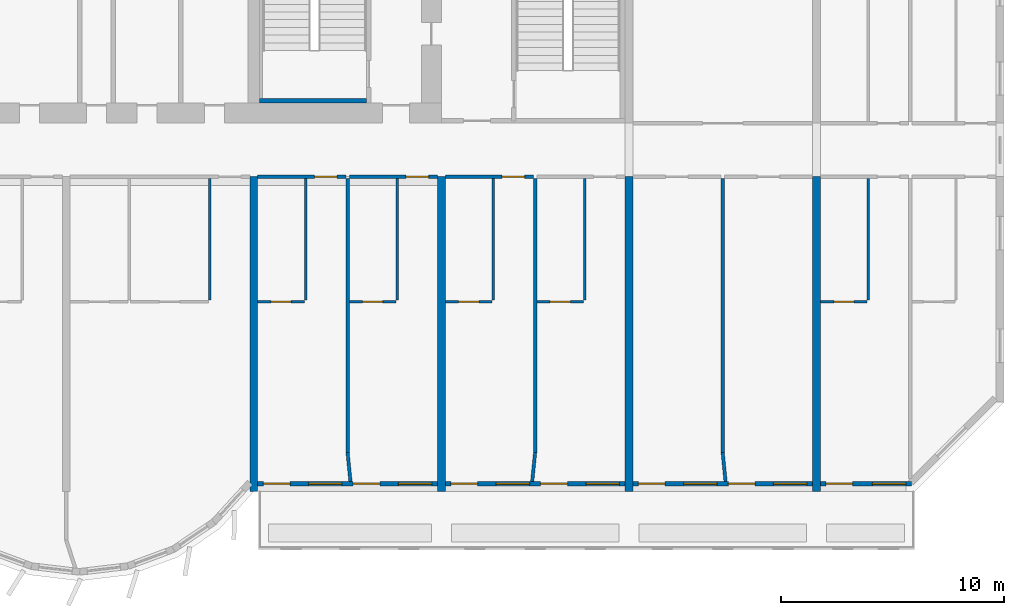
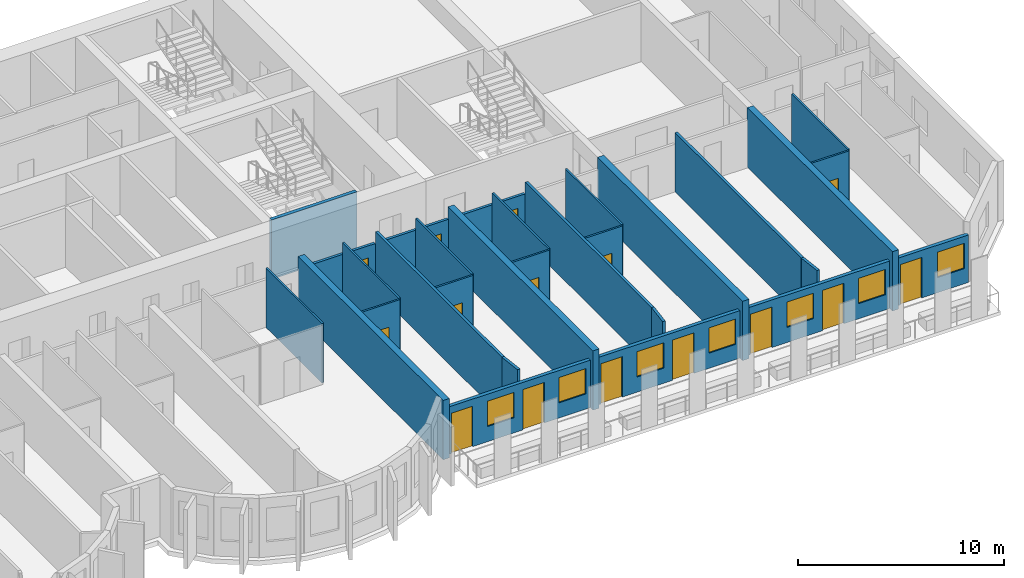
# One storey, part 9 of 15: 29 walls, 15 doors, 7 windows, 22 openings.
"""IFC4 building model written with IfcOpenShell, lengths in metres."""

from ifc_helpers import new_model, si_unit, direction, frame, frame_2d, origin, place, context, subcontext, project, spatial, rectangle, extrude, source, transform, mapped, material, layer, layer_set, type_object, element, fill, save


model = new_model("IFC4")

# Units and contexts
model_context = context("Model", 3, precision=1e-05, world=origin(), true_north=direction((0.0, 1.0)))
body_context = subcontext(model_context, "Body", "Model", "MODEL_VIEW")
ifc_project = project(units=[si_unit("LENGTHUNIT", "METRE"), si_unit("AREAUNIT", "SQUARE_METRE"), si_unit("VOLUMEUNIT", "CUBIC_METRE"), si_unit("PLANEANGLEUNIT", "RADIAN"), si_unit("MASSUNIT", "GRAM", prefix="KILO")], contexts=[model_context])

# Site, building, storey
site_placement = place(None, origin())
site = spatial("IfcSite", under=ifc_project, at=site_placement, CompositionType="ELEMENT")
building_placement = place(site_placement, origin())
building = spatial("IfcBuilding", under=site, at=building_placement, Name="Vanashikhar Sky Hotel", CompositionType="ELEMENT")
storey_placement = place(building_placement, frame((0.0, 0.0, 91.39990234375)))
storey = spatial("IfcBuildingStorey", under=building, at=storey_placement, Name="L21", CompositionType="ELEMENT", Elevation=91.39990234375)

# Walls
ifc_material_1 = material(Name="Concrete M70", Category="concrete")
ifc_layer_1 = layer(ifc_material_1, 0.35009765625)
ifc_layer_set_1 = layer_set([ifc_layer_1], Name="RC shear wall 350 Concrete M70")
wall_type_1 = type_object("IfcWallType", Name="RC shear wall 350 Concrete M70", PredefinedType="SHEAR", material=ifc_layer_set_1)
shared_shape_1 = source(origin(), body_context, "Body", "SweptSolid", [
    extrude(rectangle(XDim=14.10009765625, YDim=0.35009765625, at=frame_2d((7.050048828125, 0.0))), origin(), (0.0, 0.0, 1.0), 3.52001953125),
])
for number, where, z_axis, x_axis, name in (
    (1, (67.199951171875, 5.5, 0.0), (0.0, 0.0, 1.0), (0.0, 1.0, 0.0), "CW-L21-XW09-1"),
    (2, (75.60009765625, 5.5, 0.0), (0.0, 0.0, 1.0), (0.0, 1.0, 0.0), "CW-L21-XW10-1"),
    (3, (84.0, 5.5, 0.0), (0.0, 0.0, 1.0), (0.0, 1.0, 0.0), "CW-L21-XW11-1"),
    (4, (92.39990234375, 5.5, 0.0), (0.0, 0.0, 1.0), (0.0, 1.0, 0.0), "CW-L21-XW12-1"),
):
    element("IfcWall", number, at=place(storey_placement, frame(where, z_axis=z_axis, x_axis=x_axis)), inside=storey, type_object=wall_type_1, Name=name, PredefinedType="SHEAR", context=body_context, shape_type="MappedRepresentation", body=[
        mapped(shared_shape_1, transform((0.0, 0.0, 0.0), scale=1.0)),
    ])

# Wall, openings, window, door
ifc_material_2 = material(Name="Concrete M50", Category="concrete")
ifc_layer_2 = layer(ifc_material_2, 0.199951171875)
ifc_layer_set_2 = layer_set([ifc_layer_2], Name="Front window wall 200")
wall_type_2 = type_object("IfcWallType", Name="Front window wall 200", PredefinedType="SOLIDWALL", material=ifc_layer_set_2)
shared_shape_2 = source(origin(), body_context, "Body", "SweptSolid", [
    extrude(rectangle(XDim=4.080078125, YDim=0.199951171875, at=frame_2d((2.0400390625, 0.0))), origin(), (0.0, 0.0, 1.0), 2.820068359375),
])
wall_1_placement = place(storey_placement, frame((92.574951171875, 5.85009765625, 0.0), z_axis=(0.0, 0.0, 1.0), x_axis=(1.0, 0.0, 0.0)))
wall_1 = element("IfcWall", 5, at=wall_1_placement, inside=storey, type_object=wall_type_2, Name="Front window wall", PredefinedType="SOLIDWALL", context=body_context, shape_type="MappedRepresentation", body=[
    mapped(shared_shape_2, transform((0.0, 0.0, 0.0), scale=1.0)),
])
shared_shape_3 = source(origin(), body_context, "Body", "SweptSolid", [
    extrude(rectangle(XDim=1.199951171875, YDim=2.39990234375, at=frame_2d((0.60009765625, 1.199951171875))), frame((0.0, 0.10986328125, 0.0), z_axis=(0.0, -1.0, 0.0), x_axis=(1.0, 0.0, 0.0)), (0.0, 0.0, 1.0), 0.219970703125),
])
opening_1_placement = place(wall_1_placement, frame((0.25, 0.0, 0.0)))
opening_1 = element("IfcOpeningElement", 6, at=opening_1_placement, cuts=wall_1, Name="Opening BD-14", PredefinedType="OPENING", context=body_context, shape_type="MappedRepresentation", body=[
    mapped(shared_shape_3, transform((0.0, 0.0, 0.0), scale=1.0)),
])
shared_shape_4 = source(origin(), body_context, "Body", "SweptSolid", [
    extrude(rectangle(XDim=1.5, YDim=1.5, at=frame_2d((0.75, 0.75))), frame((0.0, 0.10986328125, 0.0), z_axis=(0.0, -1.0, 0.0), x_axis=(1.0, 0.0, 0.0)), (0.0, 0.0, 1.0), 0.219970703125),
])
opening_2_placement = place(wall_1_placement, frame((2.330078125, 0.0, 0.89990234375)))
opening_2 = element("IfcOpeningElement", 7, at=opening_2_placement, cuts=wall_1, Name="Opening WN-1", PredefinedType="OPENING", context=body_context, shape_type="MappedRepresentation", body=[
    mapped(shared_shape_4, transform((0.0, 0.0, 0.0), scale=1.0)),
])
ifc_material_3 = material(Name="Glass", Category="glass")
window_type = type_object("IfcWindowType", Name="Window 1500 x 1500", PartitioningType="SINGLE_PANEL", PredefinedType="WINDOW", material=ifc_material_3)
shared_shape_5 = source(origin(), body_context, "Body", "SweptSolid", [
    extrude(rectangle(XDim=1.5, YDim=1.5, at=frame_2d((0.75, 0.75))), frame((0.0, 0.030029296875, 0.0), z_axis=(0.0, -1.0, 0.0), x_axis=(1.0, 0.0, 0.0)), (0.0, 0.0, 1.0), 0.06005859375),
])
window_1_placement = place(opening_2_placement, origin())
window_1 = element("IfcWindow", 8, at=window_1_placement, inside=storey, type_object=window_type, Name="Window WN-1", OverallHeight=1.5, OverallWidth=1.5, PartitioningType="SINGLE_PANEL", PredefinedType="WINDOW", context=body_context, shape_type="MappedRepresentation", body=[
    mapped(shared_shape_5, transform((0.0, 0.0, 0.0), scale=1.0)),
])
fill(opening_2, window_1)
ifc_material_4 = material(Name="Aluminium", Category="aluminium")
door_type_1 = type_object("IfcDoorType", Name="Balcony sliding door 1200 x 2400", OperationType="NOTDEFINED", PredefinedType="DOOR", material=ifc_material_4)
shared_shape_6 = source(origin(), body_context, "Body", "SweptSolid", [
    extrude(rectangle(XDim=1.199951171875, YDim=2.39990234375, at=frame_2d((0.60009765625, 1.199951171875))), frame((0.0, 0.02490234375, 0.0), z_axis=(0.0, -1.0, 0.0), x_axis=(1.0, 0.0, 0.0)), (0.0, 0.0, 1.0), 0.050048828125),
])
door_1_placement = place(opening_1_placement, origin())
door_1 = element("IfcDoor", 9, at=door_1_placement, inside=storey, type_object=door_type_1, Name="Balcony sliding door", OperationType="SLIDING_TO_RIGHT", OverallHeight=2.39990234375, OverallWidth=1.199951171875, PredefinedType="DOOR", context=body_context, shape_type="MappedRepresentation", body=[
    mapped(shared_shape_6, transform((0.0, 0.0, 0.0), scale=1.0)),
])
fill(opening_1, door_1)

# Wall, openings, windows, doors
shared_shape_7 = source(origin(), body_context, "Body", "SweptSolid", [
    extrude(rectangle(XDim=8.050048828125, YDim=0.199951171875, at=frame_2d((4.02490234375, 0.0))), origin(), (0.0, 0.0, 1.0), 2.820068359375),
])
wall_2_placement = place(storey_placement, frame((67.375, 5.85009765625, 0.0), z_axis=(0.0, 0.0, 1.0), x_axis=(1.0, 0.0, 0.0)))
wall_2 = element("IfcWall", 10, at=wall_2_placement, inside=storey, type_object=wall_type_2, Name="Front window wall", PredefinedType="SOLIDWALL", context=body_context, shape_type="MappedRepresentation", body=[
    mapped(shared_shape_7, transform((0.0, 0.0, 0.0), scale=1.0)),
])
opening_3_placement = place(wall_2_placement, frame((0.25, 0.0, 0.0)))
opening_3 = element("IfcOpeningElement", 11, at=opening_3_placement, cuts=wall_2, Name="Opening BD-08", PredefinedType="OPENING", context=body_context, shape_type="MappedRepresentation", body=[
    mapped(shared_shape_3, transform((0.0, 0.0, 0.0), scale=1.0)),
])
opening_4_placement = place(wall_2_placement, frame((2.27490234375, 0.0, 0.89990234375)))
opening_4 = element("IfcOpeningElement", 12, at=opening_4_placement, cuts=wall_2, Name="Opening WN-1", PredefinedType="OPENING", context=body_context, shape_type="MappedRepresentation", body=[
    mapped(shared_shape_4, transform((0.0, 0.0, 0.0), scale=1.0)),
])
opening_5_placement = place(wall_2_placement, frame((4.27490234375, 0.0, 0.0)))
opening_5 = element("IfcOpeningElement", 13, at=opening_5_placement, cuts=wall_2, Name="Opening BD-09", PredefinedType="OPENING", context=body_context, shape_type="MappedRepresentation", body=[
    mapped(shared_shape_3, transform((0.0, 0.0, 0.0), scale=1.0)),
])
opening_6_placement = place(wall_2_placement, frame((6.300048828125, 0.0, 0.89990234375)))
opening_6 = element("IfcOpeningElement", 14, at=opening_6_placement, cuts=wall_2, Name="Opening WN-1", PredefinedType="OPENING", context=body_context, shape_type="MappedRepresentation", body=[
    mapped(shared_shape_4, transform((0.0, 0.0, 0.0), scale=1.0)),
])
window_2_placement = place(opening_4_placement, origin())
window_2 = element("IfcWindow", 15, at=window_2_placement, inside=storey, type_object=window_type, Name="Window WN-1", OverallHeight=1.5, OverallWidth=1.5, PartitioningType="SINGLE_PANEL", PredefinedType="WINDOW", context=body_context, shape_type="MappedRepresentation", body=[
    mapped(shared_shape_5, transform((0.0, 0.0, 0.0), scale=1.0)),
])
fill(opening_4, window_2)
window_3_placement = place(opening_6_placement, origin())
window_3 = element("IfcWindow", 16, at=window_3_placement, inside=storey, type_object=window_type, Name="Window WN-1", OverallHeight=1.5, OverallWidth=1.5, PartitioningType="SINGLE_PANEL", PredefinedType="WINDOW", context=body_context, shape_type="MappedRepresentation", body=[
    mapped(shared_shape_5, transform((0.0, 0.0, 0.0), scale=1.0)),
])
fill(opening_6, window_3)
door_2_placement = place(opening_3_placement, origin())
door_2 = element("IfcDoor", 17, at=door_2_placement, inside=storey, type_object=door_type_1, Name="Balcony sliding door", OperationType="SLIDING_TO_RIGHT", OverallHeight=2.39990234375, OverallWidth=1.199951171875, PredefinedType="DOOR", context=body_context, shape_type="MappedRepresentation", body=[
    mapped(shared_shape_6, transform((0.0, 0.0, 0.0), scale=1.0)),
])
fill(opening_3, door_2)
door_3_placement = place(opening_5_placement, origin())
door_3 = element("IfcDoor", 18, at=door_3_placement, inside=storey, type_object=door_type_1, Name="Balcony sliding door", OperationType="SLIDING_TO_LEFT", OverallHeight=2.39990234375, OverallWidth=1.199951171875, PredefinedType="DOOR", context=body_context, shape_type="MappedRepresentation", body=[
    mapped(shared_shape_6, transform((0.0, 0.0, 0.0), scale=1.0)),
])
fill(opening_5, door_3)

wall_3_placement = place(storey_placement, frame((75.77490234375, 5.85009765625, 0.0), z_axis=(0.0, 0.0, 1.0), x_axis=(1.0, 0.0, 0.0)))
wall_3 = element("IfcWall", 19, at=wall_3_placement, inside=storey, type_object=wall_type_2, Name="Front window wall", PredefinedType="SOLIDWALL", context=body_context, shape_type="MappedRepresentation", body=[
    mapped(shared_shape_7, transform((0.0, 0.0, 0.0), scale=1.0)),
])
opening_7_placement = place(wall_3_placement, frame((0.25, 0.0, 0.0)))
opening_7 = element("IfcOpeningElement", 20, at=opening_7_placement, cuts=wall_3, Name="Opening BD-10", PredefinedType="OPENING", context=body_context, shape_type="MappedRepresentation", body=[
    mapped(shared_shape_3, transform((0.0, 0.0, 0.0), scale=1.0)),
])
opening_8_placement = place(wall_3_placement, frame((2.27490234375, 0.0, 0.89990234375)))
opening_8 = element("IfcOpeningElement", 21, at=opening_8_placement, cuts=wall_3, Name="Opening WN-1", PredefinedType="OPENING", context=body_context, shape_type="MappedRepresentation", body=[
    mapped(shared_shape_4, transform((0.0, 0.0, 0.0), scale=1.0)),
])
opening_9_placement = place(wall_3_placement, frame((4.27490234375, 0.0, 0.0)))
opening_9 = element("IfcOpeningElement", 22, at=opening_9_placement, cuts=wall_3, Name="Opening BD-11", PredefinedType="OPENING", context=body_context, shape_type="MappedRepresentation", body=[
    mapped(shared_shape_3, transform((0.0, 0.0, 0.0), scale=1.0)),
])
opening_10_placement = place(wall_3_placement, frame((6.300048828125, 0.0, 0.89990234375)))
opening_10 = element("IfcOpeningElement", 23, at=opening_10_placement, cuts=wall_3, Name="Opening WN-1", PredefinedType="OPENING", context=body_context, shape_type="MappedRepresentation", body=[
    mapped(shared_shape_4, transform((0.0, 0.0, 0.0), scale=1.0)),
])
window_4_placement = place(opening_8_placement, origin())
window_4 = element("IfcWindow", 24, at=window_4_placement, inside=storey, type_object=window_type, Name="Window WN-1", OverallHeight=1.5, OverallWidth=1.5, PartitioningType="SINGLE_PANEL", PredefinedType="WINDOW", context=body_context, shape_type="MappedRepresentation", body=[
    mapped(shared_shape_5, transform((0.0, 0.0, 0.0), scale=1.0)),
])
fill(opening_8, window_4)
window_5_placement = place(opening_10_placement, origin())
window_5 = element("IfcWindow", 25, at=window_5_placement, inside=storey, type_object=window_type, Name="Window WN-1", OverallHeight=1.5, OverallWidth=1.5, PartitioningType="SINGLE_PANEL", PredefinedType="WINDOW", context=body_context, shape_type="MappedRepresentation", body=[
    mapped(shared_shape_5, transform((0.0, 0.0, 0.0), scale=1.0)),
])
fill(opening_10, window_5)
door_4_placement = place(opening_7_placement, origin())
door_4 = element("IfcDoor", 26, at=door_4_placement, inside=storey, type_object=door_type_1, Name="Balcony sliding door", OperationType="SLIDING_TO_RIGHT", OverallHeight=2.39990234375, OverallWidth=1.199951171875, PredefinedType="DOOR", context=body_context, shape_type="MappedRepresentation", body=[
    mapped(shared_shape_6, transform((0.0, 0.0, 0.0), scale=1.0)),
])
fill(opening_7, door_4)
door_5_placement = place(opening_9_placement, origin())
door_5 = element("IfcDoor", 27, at=door_5_placement, inside=storey, type_object=door_type_1, Name="Balcony sliding door", OperationType="SLIDING_TO_LEFT", OverallHeight=2.39990234375, OverallWidth=1.199951171875, PredefinedType="DOOR", context=body_context, shape_type="MappedRepresentation", body=[
    mapped(shared_shape_6, transform((0.0, 0.0, 0.0), scale=1.0)),
])
fill(opening_9, door_5)

wall_4_placement = place(storey_placement, frame((84.175048828125, 5.85009765625, 0.0), z_axis=(0.0, 0.0, 1.0), x_axis=(1.0, 0.0, 0.0)))
wall_4 = element("IfcWall", 28, at=wall_4_placement, inside=storey, type_object=wall_type_2, Name="Front window wall", PredefinedType="SOLIDWALL", context=body_context, shape_type="MappedRepresentation", body=[
    mapped(shared_shape_7, transform((0.0, 0.0, 0.0), scale=1.0)),
])
opening_11_placement = place(wall_4_placement, frame((0.25, 0.0, 0.0)))
opening_11 = element("IfcOpeningElement", 29, at=opening_11_placement, cuts=wall_4, Name="Opening BD-12", PredefinedType="OPENING", context=body_context, shape_type="MappedRepresentation", body=[
    mapped(shared_shape_3, transform((0.0, 0.0, 0.0), scale=1.0)),
])
opening_12_placement = place(wall_4_placement, frame((2.27490234375, 0.0, 0.89990234375)))
opening_12 = element("IfcOpeningElement", 30, at=opening_12_placement, cuts=wall_4, Name="Opening WN-1", PredefinedType="OPENING", context=body_context, shape_type="MappedRepresentation", body=[
    mapped(shared_shape_4, transform((0.0, 0.0, 0.0), scale=1.0)),
])
opening_13_placement = place(wall_4_placement, frame((4.27490234375, 0.0, 0.0)))
opening_13 = element("IfcOpeningElement", 31, at=opening_13_placement, cuts=wall_4, Name="Opening BD-13", PredefinedType="OPENING", context=body_context, shape_type="MappedRepresentation", body=[
    mapped(shared_shape_3, transform((0.0, 0.0, 0.0), scale=1.0)),
])
opening_14_placement = place(wall_4_placement, frame((6.300048828125, 0.0, 0.89990234375)))
opening_14 = element("IfcOpeningElement", 32, at=opening_14_placement, cuts=wall_4, Name="Opening WN-1", PredefinedType="OPENING", context=body_context, shape_type="MappedRepresentation", body=[
    mapped(shared_shape_4, transform((0.0, 0.0, 0.0), scale=1.0)),
])
window_6_placement = place(opening_12_placement, origin())
window_6 = element("IfcWindow", 33, at=window_6_placement, inside=storey, type_object=window_type, Name="Window WN-1", OverallHeight=1.5, OverallWidth=1.5, PartitioningType="SINGLE_PANEL", PredefinedType="WINDOW", context=body_context, shape_type="MappedRepresentation", body=[
    mapped(shared_shape_5, transform((0.0, 0.0, 0.0), scale=1.0)),
])
fill(opening_12, window_6)
window_7_placement = place(opening_14_placement, origin())
window_7 = element("IfcWindow", 34, at=window_7_placement, inside=storey, type_object=window_type, Name="Window WN-1", OverallHeight=1.5, OverallWidth=1.5, PartitioningType="SINGLE_PANEL", PredefinedType="WINDOW", context=body_context, shape_type="MappedRepresentation", body=[
    mapped(shared_shape_5, transform((0.0, 0.0, 0.0), scale=1.0)),
])
fill(opening_14, window_7)
door_6_placement = place(opening_11_placement, origin())
door_6 = element("IfcDoor", 35, at=door_6_placement, inside=storey, type_object=door_type_1, Name="Balcony sliding door", OperationType="SLIDING_TO_RIGHT", OverallHeight=2.39990234375, OverallWidth=1.199951171875, PredefinedType="DOOR", context=body_context, shape_type="MappedRepresentation", body=[
    mapped(shared_shape_6, transform((0.0, 0.0, 0.0), scale=1.0)),
])
fill(opening_11, door_6)
door_7_placement = place(opening_13_placement, origin())
door_7 = element("IfcDoor", 36, at=door_7_placement, inside=storey, type_object=door_type_1, Name="Balcony sliding door", OperationType="SLIDING_TO_LEFT", OverallHeight=2.39990234375, OverallWidth=1.199951171875, PredefinedType="DOOR", context=body_context, shape_type="MappedRepresentation", body=[
    mapped(shared_shape_6, transform((0.0, 0.0, 0.0), scale=1.0)),
])
fill(opening_13, door_7)

# Walls
ifc_layer_3 = layer(ifc_material_2, 0.199951171875)
ifc_layer_set_3 = layer_set([ifc_layer_3], Name="Stair infill wall 200")
wall_type_3 = type_object("IfcWallType", Name="Stair infill wall 200", PredefinedType="SOLIDWALL", material=ifc_layer_set_3)
shared_shape_8 = source(origin(), body_context, "Body", "SweptSolid", [
    extrude(rectangle(XDim=4.800048828125, YDim=0.199951171875, at=frame_2d((2.39990234375, 0.0))), origin(), (0.0, 0.0, 1.0), 3.52001953125),
])
wall_5_placement = place(storey_placement, frame((67.449951171875, 23.0, 0.0), z_axis=(0.0, 0.0, 1.0), x_axis=(1.0, 0.0, 0.0)))
element("IfcWall", 37, at=wall_5_placement, inside=storey, type_object=wall_type_3, Name="Stair infill wall 200", PredefinedType="SOLIDWALL", context=body_context, shape_type="MappedRepresentation", body=[
    mapped(shared_shape_8, transform((0.0, 0.0, 0.0), scale=1.0)),
])
ifc_material_5 = material(Name="Gypsum plasterboard partition")
ifc_layer_4 = layer(ifc_material_5, 0.10009765625)
ifc_layer_set_4 = layer_set([ifc_layer_4], Name="Wet room partition 100")
wall_type_4 = type_object("IfcWallType", Name="Wet room partition 100", PredefinedType="PARTITIONING", material=ifc_layer_set_4)
shared_shape_9 = source(origin(), body_context, "Body", "SweptSolid", [
    extrude(rectangle(XDim=5.449951171875, YDim=0.10009765625, at=frame_2d((2.72509765625, 0.0))), origin(), (0.0, 0.0, 1.0), 3.52001953125),
])
for number, where, z_axis, x_axis, name in (
    (38, (65.22509765625, 14.074951171875, 0.0), (0.0, 0.0, 1.0), (0.0, 1.0, 0.0), "W-L21-PW042"),
    (39, (69.52490234375, 14.074951171875, 0.0), (0.0, 0.0, 1.0), (0.0, 1.0, 0.0), "W-L21-PW047"),
    (40, (73.625, 14.074951171875, 0.0), (0.0, 0.0, 1.0), (0.0, 1.0, 0.0), "W-L21-PW050"),
    (41, (77.925048828125, 14.074951171875, 0.0), (0.0, 0.0, 1.0), (0.0, 1.0, 0.0), "W-L21-PW054"),
    (42, (82.02490234375, 14.074951171875, 0.0), (0.0, 0.0, 1.0), (0.0, 1.0, 0.0), "W-L21-PW057"),
    (43, (94.72509765625, 14.074951171875, 0.0), (0.0, 0.0, 1.0), (0.0, 1.0, 0.0), "W-L21-PW064"),
):
    element("IfcWall", number, at=place(storey_placement, frame(where, z_axis=z_axis, x_axis=x_axis)), inside=storey, type_object=wall_type_4, Name=name, PredefinedType="PARTITIONING", context=body_context, shape_type="MappedRepresentation", body=[
        mapped(shared_shape_9, transform((0.0, 0.0, 0.0), scale=1.0)),
    ])

# Wall, opening, door
shared_shape_10 = source(origin(), body_context, "Body", "SweptSolid", [
    extrude(rectangle(XDim=2.10009765625, YDim=0.10009765625, at=frame_2d((1.050048828125, 0.0))), origin(), (0.0, 0.0, 1.0), 3.52001953125),
])
wall_6_placement = place(storey_placement, frame((67.375, 14.0, 0.0), z_axis=(0.0, 0.0, 1.0), x_axis=(1.0, 0.0, 0.0)))
wall_6 = element("IfcWall", 44, at=wall_6_placement, inside=storey, type_object=wall_type_4, Name="W-L21-PW048", PredefinedType="PARTITIONING", context=body_context, shape_type="MappedRepresentation", body=[
    mapped(shared_shape_10, transform((0.0, 0.0, 0.0), scale=1.0)),
])
shared_shape_11 = source(origin(), body_context, "Body", "SweptSolid", [
    extrude(rectangle(XDim=0.89990234375, YDim=2.10009765625, at=frame_2d((0.449951171875, 1.050048828125))), frame((0.0, 0.06005859375, 0.0), z_axis=(0.0, -1.0, 0.0), x_axis=(1.0, 0.0, 0.0)), (0.0, 0.0, 1.0), 0.1201171875),
])
opening_15_placement = place(wall_6_placement, frame((0.60009765625, 0.0, 0.0)))
opening_15 = element("IfcOpeningElement", 45, at=opening_15_placement, cuts=wall_6, Name="Opening D-02", PredefinedType="OPENING", context=body_context, shape_type="MappedRepresentation", body=[
    mapped(shared_shape_11, transform((0.0, 0.0, 0.0), scale=1.0)),
])
ifc_material_6 = material(Name="Timber door", Category="wood")
door_type_2 = type_object("IfcDoorType", Name="Internal door 900", OperationType="NOTDEFINED", PredefinedType="DOOR", material=ifc_material_6)
shared_shape_12 = source(origin(), body_context, "Body", "SweptSolid", [
    extrude(rectangle(XDim=0.89990234375, YDim=2.10009765625, at=frame_2d((0.449951171875, 1.050048828125))), frame((0.0, 0.02490234375, 0.0), z_axis=(0.0, -1.0, 0.0), x_axis=(1.0, 0.0, 0.0)), (0.0, 0.0, 1.0), 0.050048828125),
])
door_8_placement = place(opening_15_placement, origin())
door_8 = element("IfcDoor", 46, at=door_8_placement, inside=storey, type_object=door_type_2, Name="D-L21-028", OperationType="SINGLE_SWING_RIGHT", OverallHeight=2.10009765625, OverallWidth=0.89990234375, PredefinedType="DOOR", context=body_context, shape_type="MappedRepresentation", body=[
    mapped(shared_shape_12, transform((0.0, 0.0, 0.0), scale=1.0)),
])
fill(opening_15, door_8)

wall_7_placement = place(storey_placement, frame((75.77490234375, 14.0, 0.0), z_axis=(0.0, 0.0, 1.0), x_axis=(1.0, 0.0, 0.0)))
wall_7 = element("IfcWall", 47, at=wall_7_placement, inside=storey, type_object=wall_type_4, Name="W-L21-PW055", PredefinedType="PARTITIONING", context=body_context, shape_type="MappedRepresentation", body=[
    mapped(shared_shape_10, transform((0.0, 0.0, 0.0), scale=1.0)),
])
opening_16_placement = place(wall_7_placement, frame((0.60009765625, 0.0, 0.0)))
opening_16 = element("IfcOpeningElement", 48, at=opening_16_placement, cuts=wall_7, Name="Opening D-02", PredefinedType="OPENING", context=body_context, shape_type="MappedRepresentation", body=[
    mapped(shared_shape_11, transform((0.0, 0.0, 0.0), scale=1.0)),
])
door_9_placement = place(opening_16_placement, origin())
door_9 = element("IfcDoor", 49, at=door_9_placement, inside=storey, type_object=door_type_2, Name="D-L21-032", OperationType="SINGLE_SWING_RIGHT", OverallHeight=2.10009765625, OverallWidth=0.89990234375, PredefinedType="DOOR", context=body_context, shape_type="MappedRepresentation", body=[
    mapped(shared_shape_12, transform((0.0, 0.0, 0.0), scale=1.0)),
])
fill(opening_16, door_9)

wall_8_placement = place(storey_placement, frame((79.875, 14.0, 0.0), z_axis=(0.0, 0.0, 1.0), x_axis=(1.0, 0.0, 0.0)))
wall_8 = element("IfcWall", 50, at=wall_8_placement, inside=storey, type_object=wall_type_4, Name="W-L21-PW058", PredefinedType="PARTITIONING", context=body_context, shape_type="MappedRepresentation", body=[
    mapped(shared_shape_10, transform((0.0, 0.0, 0.0), scale=1.0)),
])
opening_17_placement = place(wall_8_placement, frame((0.60009765625, 0.0, 0.0)))
opening_17 = element("IfcOpeningElement", 51, at=opening_17_placement, cuts=wall_8, Name="Opening D-02", PredefinedType="OPENING", context=body_context, shape_type="MappedRepresentation", body=[
    mapped(shared_shape_11, transform((0.0, 0.0, 0.0), scale=1.0)),
])
door_10_placement = place(opening_17_placement, origin())
door_10 = element("IfcDoor", 52, at=door_10_placement, inside=storey, type_object=door_type_2, Name="D-L21-034", OperationType="SINGLE_SWING_RIGHT", OverallHeight=2.10009765625, OverallWidth=0.89990234375, PredefinedType="DOOR", context=body_context, shape_type="MappedRepresentation", body=[
    mapped(shared_shape_12, transform((0.0, 0.0, 0.0), scale=1.0)),
])
fill(opening_17, door_10)

wall_9_placement = place(storey_placement, frame((92.574951171875, 14.0, 0.0), z_axis=(0.0, 0.0, 1.0), x_axis=(1.0, 0.0, 0.0)))
wall_9 = element("IfcWall", 53, at=wall_9_placement, inside=storey, type_object=wall_type_4, Name="W-L21-PW065", PredefinedType="PARTITIONING", context=body_context, shape_type="MappedRepresentation", body=[
    mapped(shared_shape_10, transform((0.0, 0.0, 0.0), scale=1.0)),
])
opening_18_placement = place(wall_9_placement, frame((0.60009765625, 0.0, 0.0)))
opening_18 = element("IfcOpeningElement", 54, at=opening_18_placement, cuts=wall_9, Name="Opening D-02", PredefinedType="OPENING", context=body_context, shape_type="MappedRepresentation", body=[
    mapped(shared_shape_11, transform((0.0, 0.0, 0.0), scale=1.0)),
])
door_11_placement = place(opening_18_placement, origin())
door_11 = element("IfcDoor", 55, at=door_11_placement, inside=storey, type_object=door_type_2, Name="D-L21-038", OperationType="SINGLE_SWING_RIGHT", OverallHeight=2.10009765625, OverallWidth=0.89990234375, PredefinedType="DOOR", context=body_context, shape_type="MappedRepresentation", body=[
    mapped(shared_shape_12, transform((0.0, 0.0, 0.0), scale=1.0)),
])
fill(opening_18, door_11)

ifc_layer_5 = layer(ifc_material_5, 0.14990234375)
ifc_layer_set_5 = layer_set([ifc_layer_5], Name="Corridor and demising partition 150")
wall_type_5 = type_object("IfcWallType", Name="Corridor and demising partition 150", PredefinedType="PARTITIONING", material=ifc_layer_set_5)
shared_shape_13 = source(origin(), body_context, "Body", "SweptSolid", [
    extrude(rectangle(XDim=3.9501953125, YDim=0.14990234375, at=frame_2d((1.97509765625, 0.0))), origin(), (0.0, 0.0, 1.0), 2.820068359375),
])
wall_10_placement = place(storey_placement, frame((75.77490234375, 19.60009765625, 0.0), z_axis=(0.0, 0.0, 1.0), x_axis=(1.0, 0.0, 0.0)))
wall_10 = element("IfcWall", 56, at=wall_10_placement, inside=storey, type_object=wall_type_5, Name="W-L21-PW056", PredefinedType="PARTITIONING", context=body_context, shape_type="MappedRepresentation", body=[
    mapped(shared_shape_13, transform((0.0, 0.0, 0.0), scale=1.0)),
])
shared_shape_14 = source(origin(), body_context, "Body", "SweptSolid", [
    extrude(rectangle(XDim=1.0, YDim=2.10009765625, at=frame_2d((0.5, 1.050048828125))), frame((0.0, 0.0849609375, 0.0), z_axis=(0.0, -1.0, 0.0), x_axis=(1.0, 0.0, 0.0)), (0.0, 0.0, 1.0), 0.169921875),
])
opening_19_placement = place(wall_10_placement, frame((2.550048828125, 0.0, 0.0)))
opening_19 = element("IfcOpeningElement", 57, at=opening_19_placement, cuts=wall_10, Name="Opening D-01", PredefinedType="OPENING", context=body_context, shape_type="MappedRepresentation", body=[
    mapped(shared_shape_14, transform((0.0, 0.0, 0.0), scale=1.0)),
])
ifc_material_7 = material(Name="Timber fire door", Category="wood")
door_type_3 = type_object("IfcDoorType", Name="Guest entry door 1000 FD30S", OperationType="NOTDEFINED", PredefinedType="DOOR", material=ifc_material_7)
shared_shape_15 = source(origin(), body_context, "Body", "SweptSolid", [
    extrude(rectangle(XDim=1.0, YDim=2.10009765625, at=frame_2d((0.5, 1.050048828125))), frame((0.0, 0.02490234375, 0.0), z_axis=(0.0, -1.0, 0.0), x_axis=(1.0, 0.0, 0.0)), (0.0, 0.0, 1.0), 0.050048828125),
])
door_12_placement = place(opening_19_placement, origin())
door_12 = element("IfcDoor", 58, at=door_12_placement, inside=storey, type_object=door_type_3, Name="D-L21-033", OperationType="SINGLE_SWING_RIGHT", OverallHeight=2.10009765625, OverallWidth=1.0, PredefinedType="DOOR", context=body_context, shape_type="MappedRepresentation", body=[
    mapped(shared_shape_15, transform((0.0, 0.0, 0.0), scale=1.0)),
])
fill(opening_19, door_12)

shared_shape_16 = source(origin(), body_context, "Body", "SweptSolid", [
    extrude(rectangle(XDim=3.949951171875, YDim=0.14990234375, at=frame_2d((1.97509765625, 0.0))), origin(), (0.0, 0.0, 1.0), 2.820068359375),
])
wall_11_placement = place(storey_placement, frame((67.375, 19.60009765625, 0.0), z_axis=(0.0, 0.0, 1.0), x_axis=(1.0, 0.0, 0.0)))
wall_11 = element("IfcWall", 59, at=wall_11_placement, inside=storey, type_object=wall_type_5, Name="W-L21-PW049", PredefinedType="PARTITIONING", context=body_context, shape_type="MappedRepresentation", body=[
    mapped(shared_shape_16, transform((0.0, 0.0, 0.0), scale=1.0)),
])
opening_20_placement = place(wall_11_placement, frame((2.550048828125, 0.0, 0.0)))
opening_20 = element("IfcOpeningElement", 60, at=opening_20_placement, cuts=wall_11, Name="Opening D-01", PredefinedType="OPENING", context=body_context, shape_type="MappedRepresentation", body=[
    mapped(shared_shape_14, transform((0.0, 0.0, 0.0), scale=1.0)),
])
door_13_placement = place(opening_20_placement, origin())
door_13 = element("IfcDoor", 61, at=door_13_placement, inside=storey, type_object=door_type_3, Name="D-L21-029", OperationType="SINGLE_SWING_RIGHT", OverallHeight=2.10009765625, OverallWidth=1.0, PredefinedType="DOOR", context=body_context, shape_type="MappedRepresentation", body=[
    mapped(shared_shape_15, transform((0.0, 0.0, 0.0), scale=1.0)),
])
fill(opening_20, door_13)

wall_12_placement = place(storey_placement, frame((71.47509765625, 19.60009765625, 0.0), z_axis=(0.0, 0.0, 1.0), x_axis=(1.0, 0.0, 0.0)))
wall_12 = element("IfcWall", 62, at=wall_12_placement, inside=storey, type_object=wall_type_5, Name="W-L21-PW052", PredefinedType="PARTITIONING", context=body_context, shape_type="MappedRepresentation", body=[
    mapped(shared_shape_16, transform((0.0, 0.0, 0.0), scale=1.0)),
])
opening_21_placement = place(wall_12_placement, frame((2.550048828125, 0.0, 0.0)))
opening_21 = element("IfcOpeningElement", 63, at=opening_21_placement, cuts=wall_12, Name="Opening D-01", PredefinedType="OPENING", context=body_context, shape_type="MappedRepresentation", body=[
    mapped(shared_shape_14, transform((0.0, 0.0, 0.0), scale=1.0)),
])
door_14_placement = place(opening_21_placement, origin())
door_14 = element("IfcDoor", 64, at=door_14_placement, inside=storey, type_object=door_type_3, Name="D-L21-031", OperationType="SINGLE_SWING_RIGHT", OverallHeight=2.10009765625, OverallWidth=1.0, PredefinedType="DOOR", context=body_context, shape_type="MappedRepresentation", body=[
    mapped(shared_shape_15, transform((0.0, 0.0, 0.0), scale=1.0)),
])
fill(opening_21, door_14)

shared_shape_17 = source(origin(), body_context, "Body", "SweptSolid", [
    extrude(rectangle(XDim=2.099853515625, YDim=0.10009765625, at=frame_2d((1.0498046875, 0.0))), origin(), (0.0, 0.0, 1.0), 3.52001953125),
])
wall_13_placement = place(storey_placement, frame((71.47509765625, 14.0, 0.0), z_axis=(0.0, 0.0, 1.0), x_axis=(1.0, 0.0, 0.0)))
wall_13 = element("IfcWall", 65, at=wall_13_placement, inside=storey, type_object=wall_type_4, Name="W-L21-PW051", PredefinedType="PARTITIONING", context=body_context, shape_type="MappedRepresentation", body=[
    mapped(shared_shape_17, transform((0.0, 0.0, 0.0), scale=1.0)),
])
opening_22_placement = place(wall_13_placement, frame((0.60009765625, 0.0, 0.0)))
opening_22 = element("IfcOpeningElement", 66, at=opening_22_placement, cuts=wall_13, Name="Opening D-02", PredefinedType="OPENING", context=body_context, shape_type="MappedRepresentation", body=[
    mapped(shared_shape_11, transform((0.0, 0.0, 0.0), scale=1.0)),
])
door_15_placement = place(opening_22_placement, origin())
door_15 = element("IfcDoor", 67, at=door_15_placement, inside=storey, type_object=door_type_2, Name="D-L21-030", OperationType="SINGLE_SWING_RIGHT", OverallHeight=2.10009765625, OverallWidth=0.89990234375, PredefinedType="DOOR", context=body_context, shape_type="MappedRepresentation", body=[
    mapped(shared_shape_12, transform((0.0, 0.0, 0.0), scale=1.0)),
])
fill(opening_22, door_15)

# Walls
shared_shape_18 = source(origin(), body_context, "Body", "SweptSolid", [
    extrude(rectangle(XDim=12.27490234375, YDim=0.14990234375, at=frame_2d((6.137451171875, 0.0))), origin(), (0.0, 0.0, 1.0), 3.52001953125),
])
for number, where, z_axis, x_axis, name in (
    (68, (71.39990234375, 7.25, 0.0), (0.0, 0.0, 1.0), (0.0, 1.0, 0.0), "W-L21-PW053"),
    (69, (79.800048828125, 7.25, 0.0), (0.0, 0.0, 1.0), (0.0, 1.0, 0.0), "W-L21-PW060"),
    (70, (88.199951171875, 7.25, 0.0), (0.0, 0.0, 1.0), (0.0, 1.0, 0.0), "W-L21-PW063"),
):
    element("IfcWall", number, at=place(storey_placement, frame(where, z_axis=z_axis, x_axis=x_axis)), inside=storey, type_object=wall_type_5, Name=name, PredefinedType="PARTITIONING", context=body_context, shape_type="MappedRepresentation", body=[
        mapped(shared_shape_18, transform((0.0, 0.0, 0.0), scale=1.0)),
    ])
shared_shape_19 = source(origin(), body_context, "Body", "SweptSolid", [
    extrude(rectangle(XDim=1.306640625, YDim=0.14990234375, at=frame_2d((0.6533203125, 0.0))), origin(), (0.0, 0.0, 1.0), 3.52001953125),
])
for number, where, z_axis, x_axis, name in (
    (71, (71.530029296875, 5.949951171875, 0.0), (0.0, 0.0, 1.0), (-0.099596223396, 0.99502793543, 0.0), "W-L21-PW053B0"),
    (72, (79.669921875, 5.949951171875, 0.0), (0.0, 0.0, 1.0), (0.099596223396, 0.99502793543, 0.0), "W-L21-PW060B0"),
    (73, (88.330078125, 5.949951171875, 0.0), (0.0, 0.0, 1.0), (-0.099596223396, 0.99502793543, 0.0), "W-L21-PW063B0"),
):
    element("IfcWall", number, at=place(storey_placement, frame(where, z_axis=z_axis, x_axis=x_axis)), inside=storey, type_object=wall_type_5, Name=name, PredefinedType="PARTITIONING", context=body_context, shape_type="MappedRepresentation", body=[
        mapped(shared_shape_19, transform((0.0, 0.0, 0.0), scale=1.0)),
    ])

save(model, "model.ifc")
